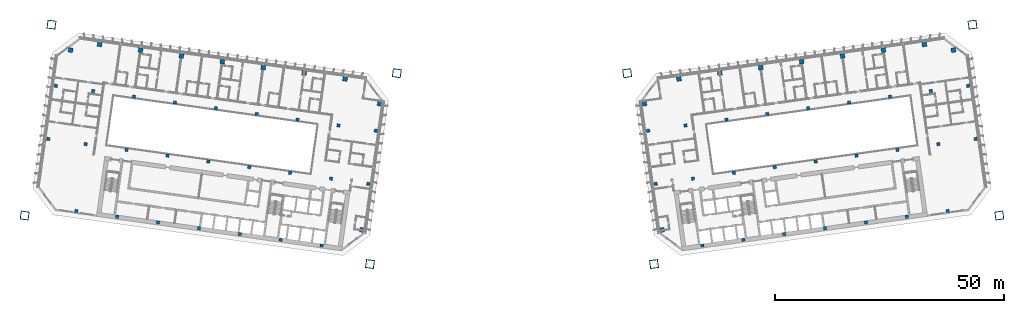
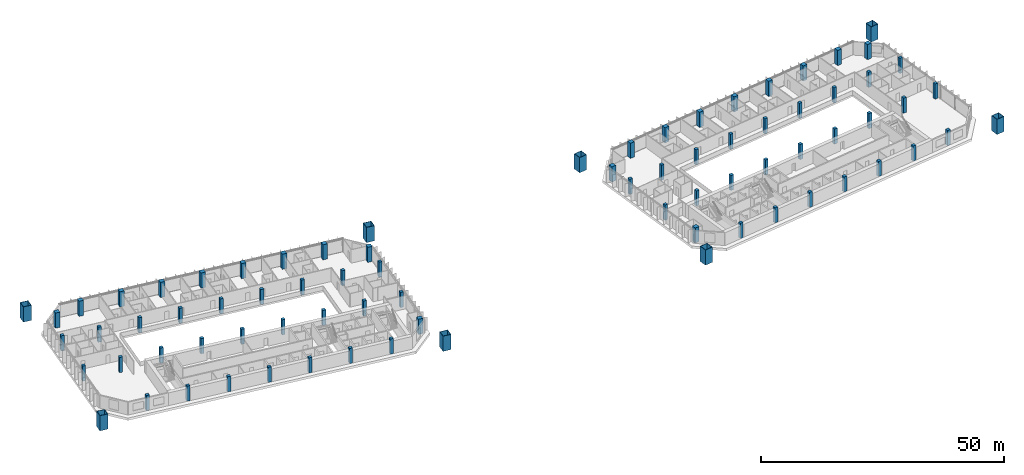
# One storey, part 1 of 25: 78 columns.
"""IFC4 building model written with IfcOpenShell, lengths in metres."""

from ifc_helpers import new_model, si_unit, direction, frame, origin, origin_2d, place, context, subcontext, project, spatial, rectangle, hollow_rectangle, extrude, material, material_profile, profile_set, type_object, element, save


model = new_model("IFC4")

# Units and contexts
model_context = context("Model", 3, precision=1e-05, world=origin(), true_north=direction((0.0, 1.0)))
body_context = subcontext(model_context, "Body", "Model", "MODEL_VIEW")
ifc_project = project(units=[si_unit("LENGTHUNIT", "METRE"), si_unit("AREAUNIT", "SQUARE_METRE"), si_unit("VOLUMEUNIT", "CUBIC_METRE"), si_unit("PLANEANGLEUNIT", "RADIAN"), si_unit("MASSUNIT", "GRAM", prefix="KILO")], contexts=[model_context])

# Site, building, storey
site_placement = place(None, origin())
site = spatial("IfcSite", under=ifc_project, at=site_placement, CompositionType="ELEMENT")
building_placement = place(site_placement, origin())
building = spatial("IfcBuilding", under=site, at=building_placement, Name="Mirante Cascada Hotel Towers", CompositionType="ELEMENT")
storey_placement = place(building_placement, frame((0.0, 0.0, 62.3)))
storey = spatial("IfcBuildingStorey", under=building, at=storey_placement, Name="L12", CompositionType="ELEMENT", Elevation=62.3)

# Columns
ifc_material_1 = material(Name="Steel ASTM A572 Gr 50", Category="steel")
ifc_material_profile_1 = material_profile(ifc_material_1, hollow_rectangle(XDim=1.8, YDim=1.8, WallThickness=0.08, at=origin_2d()), Name="Box column 1800x1800x80 ASTM A572 Gr 50")
ifc_profile_set_1 = profile_set([ifc_material_profile_1], Name="Steel ASTM A572 Gr 50")
column_type_1 = type_object("IfcColumnType", Name="Box column 1800x1800x80 ASTM A572 Gr 50", PredefinedType="COLUMN", material=ifc_profile_set_1)
for number, where, z_axis, x_axis, name in (
    (1, (-25.0968, 18.5173, 0.0), (0.0, 0.0, 1.0), (-0.9902681, 0.1391731, 0.0), "Mega column MC1 T1 L12"),
    (2, (-30.9421, -23.074, 0.0), (0.0, 0.0, 1.0), (-0.9902681, 0.1391731, 0.0), "Mega column MC2 T1 L12"),
    (3, (-100.3572, 29.0944, 0.0), (0.0, 0.0, 1.0), (-0.9902681, 0.1391731, 0.0), "Mega column MC3 T1 L12"),
    (4, (-106.2025, -12.4968, 0.0), (0.0, 0.0, 1.0), (-0.9902681, 0.1391731, 0.0), "Mega column MC4 T1 L12"),
    (5, (25.0968, 18.5173, 0.0), (0.0, 0.0, 1.0), (0.9902681, 0.1391731, 0.0), "Mega column MC1 T2 L12"),
    (6, (30.9421, -23.074, 0.0), (0.0, 0.0, 1.0), (0.9902681, 0.1391731, 0.0), "Mega column MC2 T2 L12"),
    (7, (100.3572, 29.0944, 0.0), (0.0, 0.0, 1.0), (0.9902681, 0.1391731, 0.0), "Mega column MC3 T2 L12"),
    (8, (106.2025, -12.4968, 0.0), (0.0, 0.0, 1.0), (0.9902681, 0.1391731, 0.0), "Mega column MC4 T2 L12"),
):
    element("IfcColumn", number, at=place(storey_placement, frame(where, z_axis=z_axis, x_axis=x_axis)), inside=storey, type_object=column_type_1, Name=name, PredefinedType="COLUMN", context=body_context, shape_type="SweptSolid", body=[
        extrude(hollow_rectangle(XDim=1.8, YDim=1.8, WallThickness=0.08, at=origin_2d()), origin(), (0.0, 0.0, 1.0), 3.8),
    ])
ifc_material_2 = material(Name="Concrete C60/75", Category="concrete")
ifc_material_profile_2 = material_profile(ifc_material_2, rectangle(XDim=1.0, YDim=1.0, at=origin_2d()), Name="RC column 1000x1000 C60/75")
ifc_profile_set_2 = profile_set([ifc_material_profile_2], Name="Concrete C60/75")
column_type_2 = type_object("IfcColumnType", Name="RC column 1000x1000 C60/75", PredefinedType="COLUMN", material=ifc_profile_set_2)
for number, where, z_axis, x_axis, name in (
    (9, (-28.8577, 11.8761, 0.0), (0.0, 0.0, 1.0), (-0.9902681, 0.1391731, 0.0), "Column T1 L12 1"),
    (10, (-32.7267, -15.6534, 0.0), (0.0, 0.0, 1.0), (-0.9902681, 0.1391731, 0.0), "Column T1 L12 4"),
    (11, (-36.3795, 17.2754, 0.0), (0.0, 0.0, 1.0), (-0.9902681, 0.1391731, 0.0), "Column T1 L12 5"),
    (12, (-45.2919, 18.528, 0.0), (0.0, 0.0, 1.0), (-0.9902681, 0.1391731, 0.0), "Column T1 L12 9"),
    (13, (-54.2043, 19.7806, 0.0), (0.0, 0.0, 1.0), (-0.9902681, 0.1391731, 0.0), "Column T1 L12 13"),
    (14, (-63.1167, 21.0331, 0.0), (0.0, 0.0, 1.0), (-0.9902681, 0.1391731, 0.0), "Column T1 L12 17"),
    (15, (-72.0291, 22.2857, 0.0), (0.0, 0.0, 1.0), (-0.9902681, 0.1391731, 0.0), "Column T1 L12 21"),
    (16, (-80.9415, 23.5382, 0.0), (0.0, 0.0, 1.0), (-0.9902681, 0.1391731, 0.0), "Column T1 L12 25"),
    (17, (-89.8539, 24.7908, 0.0), (0.0, 0.0, 1.0), (-0.9902681, 0.1391731, 0.0), "Column T1 L12 29"),
    (18, (-96.1868, 23.5602, 0.0), (0.0, 0.0, 1.0), (-0.9902681, 0.1391731, 0.0), "Column T1 L12 33"),
    (19, (28.8577, 11.8761, 0.0), (0.0, 0.0, 1.0), (0.9902681, 0.1391731, 0.0), "Column T2 L12 1"),
    (20, (32.7267, -15.6534, 0.0), (0.0, 0.0, 1.0), (0.9902681, 0.1391731, 0.0), "Column T2 L12 4"),
    (21, (36.3795, 17.2754, 0.0), (0.0, 0.0, 1.0), (0.9902681, 0.1391731, 0.0), "Column T2 L12 5"),
    (22, (45.2919, 18.528, 0.0), (0.0, 0.0, 1.0), (0.9902681, 0.1391731, 0.0), "Column T2 L12 9"),
    (23, (54.2043, 19.7806, 0.0), (0.0, 0.0, 1.0), (0.9902681, 0.1391731, 0.0), "Column T2 L12 13"),
    (24, (63.1167, 21.0331, 0.0), (0.0, 0.0, 1.0), (0.9902681, 0.1391731, 0.0), "Column T2 L12 17"),
    (25, (72.0291, 22.2857, 0.0), (0.0, 0.0, 1.0), (0.9902681, 0.1391731, 0.0), "Column T2 L12 21"),
    (26, (80.9415, 23.5382, 0.0), (0.0, 0.0, 1.0), (0.9902681, 0.1391731, 0.0), "Column T2 L12 25"),
    (27, (89.8539, 24.7908, 0.0), (0.0, 0.0, 1.0), (0.9902681, 0.1391731, 0.0), "Column T2 L12 29"),
    (28, (96.1868, 23.5602, 0.0), (0.0, 0.0, 1.0), (0.9902681, 0.1391731, 0.0), "Column T2 L12 33"),
):
    element("IfcColumn", number, at=place(storey_placement, frame(where, z_axis=z_axis, x_axis=x_axis)), inside=storey, type_object=column_type_2, Name=name, PredefinedType="COLUMN", context=body_context, shape_type="SweptSolid", body=[
        extrude(rectangle(XDim=1.0, YDim=1.0, at=origin_2d()), origin(), (0.0, 0.0, 1.0), 3.8),
    ])
ifc_material_3 = material(Name="Concrete C60/75", Category="concrete")
ifc_material_profile_3 = material_profile(ifc_material_3, rectangle(XDim=0.7, YDim=0.7, at=origin_2d()), Name="RC column 700x700 C60/75")
ifc_profile_set_3 = profile_set([ifc_material_profile_3], Name="Concrete C60/75")
column_type_3 = type_object("IfcColumnType", Name="RC column 700x700 C60/75", PredefinedType="COLUMN", material=ifc_profile_set_3)
for number, where, z_axis, x_axis, name in (
    (29, (-29.6858, 5.984, 0.0), (0.0, 0.0, 1.0), (-0.9902681, 0.1391731, 0.0), "Column T1 L12 2"),
    (30, (-31.3141, -5.6022, 0.0), (0.0, 0.0, 1.0), (-0.9902681, 0.1391731, 0.0), "Column T1 L12 3"),
    (31, (-37.806, 7.1252, 0.0), (0.0, 0.0, 1.0), (-0.9902681, 0.1391731, 0.0), "Column T1 L12 6"),
    (32, (-39.4343, -4.4609, 0.0), (0.0, 0.0, 1.0), (-0.9902681, 0.1391731, 0.0), "Column T1 L12 7"),
    (33, (-41.4802, -19.0179, 0.0), (0.0, 0.0, 1.0), (-0.9902681, 0.1391731, 0.0), "Column T1 L12 8"),
    (34, (-46.7184, 8.3777, 0.0), (0.0, 0.0, 1.0), (-0.9902681, 0.1391731, 0.0), "Column T1 L12 10"),
    (35, (-48.3467, -3.2084, 0.0), (0.0, 0.0, 1.0), (-0.9902681, 0.1391731, 0.0), "Column T1 L12 11"),
    (36, (-50.3926, -17.7653, 0.0), (0.0, 0.0, 1.0), (-0.9902681, 0.1391731, 0.0), "Column T1 L12 12"),
    (37, (-55.6308, 9.6303, 0.0), (0.0, 0.0, 1.0), (-0.9902681, 0.1391731, 0.0), "Column T1 L12 14"),
    (38, (-57.2591, -1.9558, 0.0), (0.0, 0.0, 1.0), (-0.9902681, 0.1391731, 0.0), "Column T1 L12 15"),
    (39, (-59.305, -16.5128, 0.0), (0.0, 0.0, 1.0), (-0.9902681, 0.1391731, 0.0), "Column T1 L12 16"),
    (40, (-64.5432, 10.8829, 0.0), (0.0, 0.0, 1.0), (-0.9902681, 0.1391731, 0.0), "Column T1 L12 18"),
    (41, (-66.1716, -0.7033, 0.0), (0.0, 0.0, 1.0), (-0.9902681, 0.1391731, 0.0), "Column T1 L12 19"),
    (42, (-68.2174, -15.2602, 0.0), (0.0, 0.0, 1.0), (-0.9902681, 0.1391731, 0.0), "Column T1 L12 20"),
    (43, (-73.4556, 12.1354, 0.0), (0.0, 0.0, 1.0), (-0.9902681, 0.1391731, 0.0), "Column T1 L12 22"),
    (44, (-75.084, 0.5493, 0.0), (0.0, 0.0, 1.0), (-0.9902681, 0.1391731, 0.0), "Column T1 L12 23"),
    (45, (-77.1298, -14.0077, 0.0), (0.0, 0.0, 1.0), (-0.9902681, 0.1391731, 0.0), "Column T1 L12 24"),
    (46, (-82.368, 13.388, 0.0), (0.0, 0.0, 1.0), (-0.9902681, 0.1391731, 0.0), "Column T1 L12 26"),
    (47, (-83.9964, 1.8018, 0.0), (0.0, 0.0, 1.0), (-0.9902681, 0.1391731, 0.0), "Column T1 L12 27"),
    (48, (-86.0422, -12.7551, 0.0), (0.0, 0.0, 1.0), (-0.9902681, 0.1391731, 0.0), "Column T1 L12 28"),
    (49, (-91.2805, 14.6405, 0.0), (0.0, 0.0, 1.0), (-0.9902681, 0.1391731, 0.0), "Column T1 L12 30"),
    (50, (-92.9088, 3.0544, 0.0), (0.0, 0.0, 1.0), (-0.9902681, 0.1391731, 0.0), "Column T1 L12 31"),
    (51, (-94.9546, -11.5025, 0.0), (0.0, 0.0, 1.0), (-0.9902681, 0.1391731, 0.0), "Column T1 L12 32"),
    (52, (-99.4007, 15.7818, 0.0), (0.0, 0.0, 1.0), (-0.9902681, 0.1391731, 0.0), "Column T1 L12 34"),
    (53, (-101.029, 4.1956, 0.0), (0.0, 0.0, 1.0), (-0.9902681, 0.1391731, 0.0), "Column T1 L12 35"),
    (54, (29.6858, 5.984, 0.0), (0.0, 0.0, 1.0), (0.9902681, 0.1391731, 0.0), "Column T2 L12 2"),
    (55, (31.3141, -5.6022, 0.0), (0.0, 0.0, 1.0), (0.9902681, 0.1391731, 0.0), "Column T2 L12 3"),
    (56, (37.806, 7.1252, 0.0), (0.0, 0.0, 1.0), (0.9902681, 0.1391731, 0.0), "Column T2 L12 6"),
    (57, (39.4343, -4.4609, 0.0), (0.0, 0.0, 1.0), (0.9902681, 0.1391731, 0.0), "Column T2 L12 7"),
    (58, (41.4802, -19.0179, 0.0), (0.0, 0.0, 1.0), (0.9902681, 0.1391731, 0.0), "Column T2 L12 8"),
    (59, (46.7184, 8.3777, 0.0), (0.0, 0.0, 1.0), (0.9902681, 0.1391731, 0.0), "Column T2 L12 10"),
    (60, (48.3467, -3.2084, 0.0), (0.0, 0.0, 1.0), (0.9902681, 0.1391731, 0.0), "Column T2 L12 11"),
    (61, (50.3926, -17.7653, 0.0), (0.0, 0.0, 1.0), (0.9902681, 0.1391731, 0.0), "Column T2 L12 12"),
    (62, (55.6308, 9.6303, 0.0), (0.0, 0.0, 1.0), (0.9902681, 0.1391731, 0.0), "Column T2 L12 14"),
    (63, (57.2591, -1.9558, 0.0), (0.0, 0.0, 1.0), (0.9902681, 0.1391731, 0.0), "Column T2 L12 15"),
    (64, (59.305, -16.5128, 0.0), (0.0, 0.0, 1.0), (0.9902681, 0.1391731, 0.0), "Column T2 L12 16"),
    (65, (64.5432, 10.8829, 0.0), (0.0, 0.0, 1.0), (0.9902681, 0.1391731, 0.0), "Column T2 L12 18"),
    (66, (66.1716, -0.7033, 0.0), (0.0, 0.0, 1.0), (0.9902681, 0.1391731, 0.0), "Column T2 L12 19"),
    (67, (68.2174, -15.2602, 0.0), (0.0, 0.0, 1.0), (0.9902681, 0.1391731, 0.0), "Column T2 L12 20"),
    (68, (73.4556, 12.1354, 0.0), (0.0, 0.0, 1.0), (0.9902681, 0.1391731, 0.0), "Column T2 L12 22"),
    (69, (75.084, 0.5493, 0.0), (0.0, 0.0, 1.0), (0.9902681, 0.1391731, 0.0), "Column T2 L12 23"),
    (70, (77.1298, -14.0077, 0.0), (0.0, 0.0, 1.0), (0.9902681, 0.1391731, 0.0), "Column T2 L12 24"),
    (71, (82.368, 13.388, 0.0), (0.0, 0.0, 1.0), (0.9902681, 0.1391731, 0.0), "Column T2 L12 26"),
    (72, (83.9964, 1.8018, 0.0), (0.0, 0.0, 1.0), (0.9902681, 0.1391731, 0.0), "Column T2 L12 27"),
    (73, (86.0422, -12.7551, 0.0), (0.0, 0.0, 1.0), (0.9902681, 0.1391731, 0.0), "Column T2 L12 28"),
    (74, (91.2805, 14.6405, 0.0), (0.0, 0.0, 1.0), (0.9902681, 0.1391731, 0.0), "Column T2 L12 30"),
    (75, (92.9088, 3.0544, 0.0), (0.0, 0.0, 1.0), (0.9902681, 0.1391731, 0.0), "Column T2 L12 31"),
    (76, (94.9546, -11.5025, 0.0), (0.0, 0.0, 1.0), (0.9902681, 0.1391731, 0.0), "Column T2 L12 32"),
    (77, (99.4007, 15.7818, 0.0), (0.0, 0.0, 1.0), (0.9902681, 0.1391731, 0.0), "Column T2 L12 34"),
    (78, (101.029, 4.1956, 0.0), (0.0, 0.0, 1.0), (0.9902681, 0.1391731, 0.0), "Column T2 L12 35"),
):
    element("IfcColumn", number, at=place(storey_placement, frame(where, z_axis=z_axis, x_axis=x_axis)), inside=storey, type_object=column_type_3, Name=name, PredefinedType="COLUMN", context=body_context, shape_type="SweptSolid", body=[
        extrude(rectangle(XDim=0.7, YDim=0.7, at=origin_2d()), origin(), (0.0, 0.0, 1.0), 3.8),
    ])

save(model, "model.ifc")
